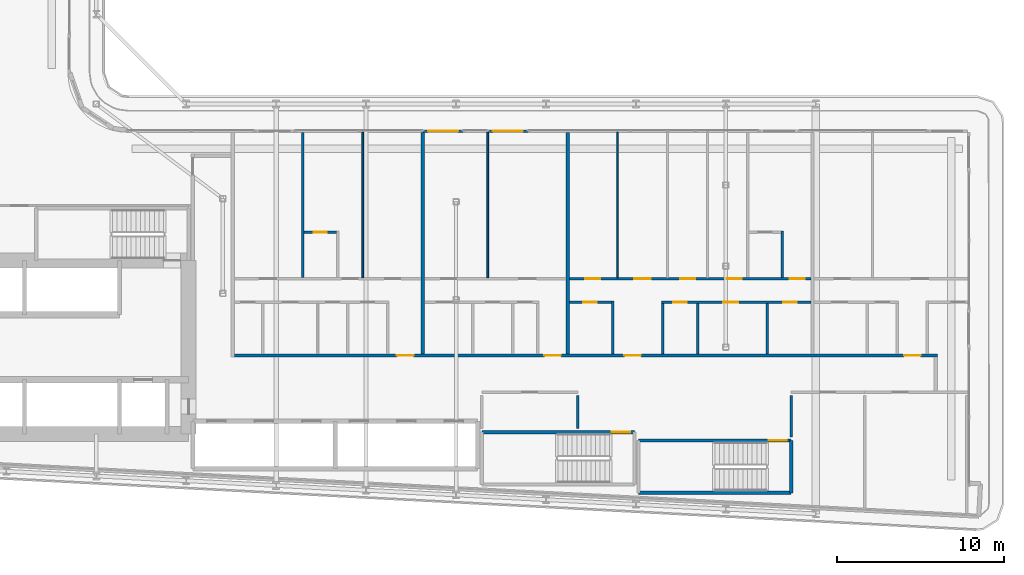
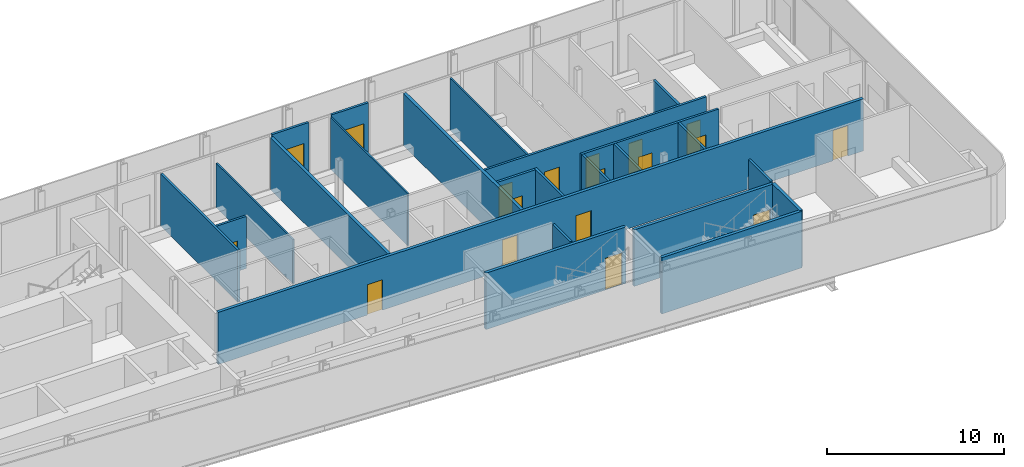
# One storey, part 14 of 25: 24 walls, 18 doors, 18 openings.
"""IFC4 building model written with IfcOpenShell, lengths in metres."""

import ifcopenshell
import ifcopenshell.guid

model = None  # the IFC model being written
_history = None  # IfcOwnerHistory: only IFC2X3 demands one
_inside = {}  # id of a spatial element -> (the spatial element, [elements in it])
_under = {}  # id of a project, library or spatial element -> (it, [spatial elements below it])
_declared = {}  # id of a project -> (the project, [libraries it declares])
_typed = {}  # id of a type object -> (the type object, [elements of that type])
_made_of = {}  # id of a material, layer set ... -> (it, [elements and type objects made of it])


def new_model(schema):
    """Start an empty IFC model of exactly this schema.

    Asked for "IFC4X3", IfcOpenShell would pick the latest addendum, in which some entities
    have other attributes; the version numbers below select the first issue.
    IFC2X3 requires an IfcOwnerHistory on every rooted entity: one is made here for all.
    """
    global model, _history
    if schema == "IFC4X3":
        model = ifcopenshell.file(schema_version=(4, 3, 0, 0))
    else:
        model = ifcopenshell.file(schema=schema)
    _inside.clear()
    _under.clear()
    _declared.clear()
    _typed.clear()
    _made_of.clear()
    _history = None
    if model.schema == "IFC2X3":
        org = make("IfcOrganization", Name="unknown")
        user = make(
            "IfcPersonAndOrganization",
            ThePerson=make("IfcPerson", FamilyName="unknown"),
            TheOrganization=org,
        )
        app = make(
            "IfcApplication",
            ApplicationDeveloper=org,
            Version="unknown",
            ApplicationFullName="unknown",
            ApplicationIdentifier="unknown",
        )
        _history = make(
            "IfcOwnerHistory",
            OwningUser=user,
            OwningApplication=app,
            ChangeAction="ADDED",
            CreationDate=0,
        )
    return model


def make(cls, **values):
    """One entity of the class cls with the attributes given. An attribute that is None is left unset."""
    return model.create_entity(
        cls, **{name: value for name, value in values.items() if value is not None}
    )


def rooted(cls, **values):
    """An entity with a GlobalId (a new one), such as an element, a storey or a relation."""
    return make(cls, GlobalId=ifcopenshell.guid.new(), OwnerHistory=_history, **values)


def si_unit(unit_type, name, prefix=None):
    """IfcSIUnit, for example si_unit("LENGTHUNIT", "METRE", prefix="MILLI")."""
    return make("IfcSIUnit", UnitType=unit_type, Prefix=prefix, Name=name)


def assignment(units):
    """IfcUnitAssignment: the units of a project."""
    return None if units is None else make("IfcUnitAssignment", Units=units)


def point(xyz):
    """IfcCartesianPoint."""
    return None if xyz is None else make("IfcCartesianPoint", Coordinates=xyz)


def direction(xyz):
    """IfcDirection."""
    return None if xyz is None else make("IfcDirection", DirectionRatios=xyz)


def frame(location, z_axis=None, x_axis=None):
    """IfcAxis2Placement3D, a coordinate frame: its origin and axes. An axis left out is left unset."""
    return make(
        "IfcAxis2Placement3D",
        Location=point(location),
        Axis=direction(z_axis),
        RefDirection=direction(x_axis),
    )


def frame_2d(location, x_axis=None):
    """IfcAxis2Placement2D, a coordinate frame in the plane: its origin and x axis."""
    return make(
        "IfcAxis2Placement2D", Location=point(location), RefDirection=direction(x_axis)
    )


def origin():
    """The frame at (0, 0, 0) with its axes left unset."""
    return frame((0.0, 0.0, 0.0))


def place(relative_to, where):
    """IfcLocalPlacement: puts the frame where relative to a parent placement (None: the world)."""
    return make(
        "IfcLocalPlacement", PlacementRelTo=relative_to, RelativePlacement=where
    )


def context(
    kind, dimensions, precision=None, world=None, true_north=None, identifier=None
):
    """IfcGeometricRepresentationContext, for example the 3D "Model" context."""
    return make(
        "IfcGeometricRepresentationContext",
        ContextIdentifier=identifier,
        ContextType=kind,
        CoordinateSpaceDimension=dimensions,
        Precision=precision,
        WorldCoordinateSystem=world,
        TrueNorth=true_north,
    )


def subcontext(parent, identifier, kind, view, scale=None):
    """IfcGeometricRepresentationSubContext, for example "Body" below "Model"."""
    return make(
        "IfcGeometricRepresentationSubContext",
        ContextIdentifier=identifier,
        ContextType=kind,
        ParentContext=parent,
        TargetScale=scale,
        TargetView=view,
    )


def project(units=None, contexts=None):
    """IfcProject with its units and contexts."""
    return rooted(
        "IfcProject",
        Name="project",
        RepresentationContexts=contexts,
        UnitsInContext=assignment(units),
    )


def spatial(cls, under=None, at=None, **own):
    """A site, building, storey or space (cls), placed at a placement, below another one or the project."""
    s = rooted(cls, ObjectPlacement=at, **own)
    if under is not None:
        _under.setdefault(under.id(), (under, []))[1].append(s)
    return s


def profile(cls, at=None, kind="AREA", **sizes):
    """A parametric profile (cls). Its sizes go by their IFC names, for example OverallWidth=200.0."""
    return make(cls, ProfileType=kind, Position=at, **sizes)


def rectangle(**sizes):
    """IfcRectangleProfileDef."""
    return profile("IfcRectangleProfileDef", **sizes)


def extrude(swept, where, along, depth):
    """IfcExtrudedAreaSolid: the profile swept, set in the frame where, extruded along a direction by depth."""
    return make(
        "IfcExtrudedAreaSolid",
        SweptArea=swept,
        Position=where,
        ExtrudedDirection=direction(along),
        Depth=depth,
    )


def shape(context_of_items, identifier, shape_type, items):
    """IfcShapeRepresentation: the items that make up one representation, for example the "Body"."""
    return make(
        "IfcShapeRepresentation",
        ContextOfItems=context_of_items,
        RepresentationIdentifier=identifier,
        RepresentationType=shape_type,
        Items=items,
    )


def source(mapping_origin, context_of_items, identifier, shape_type, items):
    """IfcRepresentationMap: a shape defined once, which mapped items show again and again."""
    return make(
        "IfcRepresentationMap",
        MappingOrigin=mapping_origin,
        MappedRepresentation=shape(context_of_items, identifier, shape_type, items),
    )


def transform(
    local_origin,
    x_axis=None,
    y_axis=None,
    z_axis=None,
    scale=None,
    scale2=None,
    scale3=None,
    uniform=True,
):
    """IfcCartesianTransformationOperator3D, or its non-uniform kind. x_axis, y_axis, z_axis: its Axis1, 2, 3."""
    if uniform:
        return make(
            "IfcCartesianTransformationOperator3D",
            Axis1=direction(x_axis),
            Axis2=direction(y_axis),
            LocalOrigin=point(local_origin),
            Scale=scale,
            Axis3=direction(z_axis),
        )
    return make(
        "IfcCartesianTransformationOperator3DnonUniform",
        Axis1=direction(x_axis),
        Axis2=direction(y_axis),
        LocalOrigin=point(local_origin),
        Scale=scale,
        Axis3=direction(z_axis),
        Scale2=scale2,
        Scale3=scale3,
    )


def mapped(mapping_source, mapping_target):
    """IfcMappedItem: shows the shape of a source again, moved by a transform."""
    return make(
        "IfcMappedItem", MappingSource=mapping_source, MappingTarget=mapping_target
    )


def material(Name=None, Category=None):
    """IfcMaterial."""
    return make("IfcMaterial", Name=Name, Category=Category)


def layer(
    of_material, thickness, ventilated=None, Name=None, Category=None, Priority=None
):
    """IfcMaterialLayer: one layer of a wall or slab, of a material (None: an air gap)."""
    return make(
        "IfcMaterialLayer",
        Material=of_material,
        LayerThickness=thickness,
        IsVentilated=ventilated,
        Name=Name,
        Category=Category,
        Priority=Priority,
    )


def layer_set(layers, Name=None):
    """IfcMaterialLayerSet."""
    return make("IfcMaterialLayerSet", MaterialLayers=layers, LayerSetName=Name)


def made_of(thing, what):
    """Note that an element or type object is made of a material, layer set ...; save() writes the relation."""
    if what is not None:
        _made_of.setdefault(what.id(), (what, []))[1].append(thing)
    return thing


def type_object(cls, material=None, **own):
    """A type object (cls), such as IfcWallType, which elements share."""
    return made_of(rooted(cls, **own), material)


def element(
    cls,
    number,
    at=None,
    inside=None,
    cuts=None,
    type_object=None,
    material=None,
    context=None,
    identifier="Body",
    shape_type=None,
    held_by="IfcProductDefinitionShape",
    body=None,
    shapes=None,
    **own,
):
    """One element of the class cls, such as IfcWall. Its Tag is "e" and its number.

    at: its placement. inside: the storey or other place that contains it. cuts: it is an
    opening in that element (IfcRelVoidsElement). A single representation is given by context,
    identifier, shape_type and body (its items); several are given by shapes. held_by: the class
    of the entity that holds the representations. save() writes the other relations.
    """
    e = rooted(cls, Tag="e%d" % number, ObjectPlacement=at, **own)
    if body is not None:
        shapes = [shape(context, identifier, shape_type, body)]
    if shapes is not None:
        e.Representation = make(held_by, Representations=shapes)
    if inside is not None:
        _inside.setdefault(inside.id(), (inside, []))[1].append(e)
    if cuts is not None:
        rooted(
            "IfcRelVoidsElement", RelatingBuildingElement=cuts, RelatedOpeningElement=e
        )
    if type_object is not None:
        _typed.setdefault(type_object.id(), (type_object, []))[1].append(e)
    return made_of(e, material)


def fill(opening, filler):
    """IfcRelFillsElement: the door or window that sits in an opening."""
    return rooted(
        "IfcRelFillsElement",
        RelatingOpeningElement=opening,
        RelatedBuildingElement=filler,
    )


def aggregate(whole, parts):
    """IfcRelAggregates: a whole, such as a stair, and the parts it consists of."""
    return rooted("IfcRelAggregates", RelatingObject=whole, RelatedObjects=parts)


def save(model, path):
    """Write the relations noted so far, then the file.

    IfcRelAggregates (storeys below a building ...), IfcRelContainedInSpatialStructure (elements
    in a storey), IfcRelDefinesByType, IfcRelAssociatesMaterial and IfcRelDeclares: one each for
    every whole, place, type object, material and project.
    """
    for whole, parts in _under.values():
        aggregate(whole, parts)
    for where, things in _inside.values():
        rooted(
            "IfcRelContainedInSpatialStructure",
            RelatedElements=things,
            RelatingStructure=where,
        )
    for kind, things in _typed.values():
        rooted("IfcRelDefinesByType", RelatedObjects=things, RelatingType=kind)
    for what, things in _made_of.values():
        rooted("IfcRelAssociatesMaterial", RelatedObjects=things, RelatingMaterial=what)
    for by, libraries in _declared.values():
        rooted("IfcRelDeclares", RelatingContext=by, RelatedDefinitions=libraries)
    model.write(path)


model = new_model("IFC4")

# Units and contexts
model_context = context("Model", 3, precision=1e-05, world=origin(), true_north=direction((0.0, 1.0)))
body_context = subcontext(model_context, "Body", "Model", "MODEL_VIEW")
ifc_project = project(units=[si_unit("LENGTHUNIT", "METRE"), si_unit("AREAUNIT", "SQUARE_METRE"), si_unit("VOLUMEUNIT", "CUBIC_METRE"), si_unit("PLANEANGLEUNIT", "RADIAN"), si_unit("MASSUNIT", "GRAM", prefix="KILO")], contexts=[model_context])

# Site, building, storey
site_placement = place(None, origin())
site = spatial("IfcSite", under=ifc_project, at=site_placement, CompositionType="ELEMENT")
building_placement = place(site_placement, origin())
building = spatial("IfcBuilding", under=site, at=building_placement, Name="Kheshtan School and Residences Tower", CompositionType="ELEMENT")
storey_placement = place(building_placement, frame((0.0, 0.0, 113.60009765625)))
storey = spatial("IfcBuildingStorey", under=building, at=storey_placement, Name="L26", CompositionType="ELEMENT", Elevation=113.60009765625)

# Wall, openings, doors
ifc_material_1 = material(Name="Gypsum board on steel studs with fire boards", Category="steel")
ifc_layer_1 = layer(ifc_material_1, 0.199951171875)
ifc_layer_set_1 = layer_set([ifc_layer_1], Name="Corridor wall 200")
wall_type_1 = type_object("IfcWallType", Name="Corridor wall 200", PredefinedType="PARTITIONING", material=ifc_layer_set_1)
wall_1_placement = place(storey_placement, frame((55.89990234375, 30.5, 0.0), z_axis=(0.0, 0.0, 1.0), x_axis=(1.0, 0.0, 0.0)))
wall_1 = element("IfcWall", 1, at=wall_1_placement, inside=storey, type_object=wall_type_1, Name="Partition L26-033", PredefinedType="PARTITIONING", context=body_context, shape_type="SweptSolid", body=[
    extrude(rectangle(XDim=42.2001953125, YDim=0.199951171875, at=frame_2d((21.10009765625, 0.0))), origin(), (0.0, 0.0, 1.0), 3.599853515625),
])
opening_1_placement = place(wall_1_placement, frame((9.75, 0.0, 0.0)))
opening_1 = element("IfcOpeningElement", 2, at=opening_1_placement, cuts=wall_1, Name="Opening D25-004", PredefinedType="OPENING", context=body_context, shape_type="SweptSolid", body=[
    extrude(rectangle(XDim=1.0, YDim=2.10009765625, at=frame_2d((0.5, 1.050048828125))), frame((0.0, 0.10986328125, 0.0), z_axis=(0.0, -1.0, 0.0), x_axis=(1.0, 0.0, 0.0)), (0.0, 0.0, 1.0), 0.219970703125),
])
opening_2_placement = place(wall_1_placement, frame((18.60009765625, 0.0, 0.0)))
opening_2 = element("IfcOpeningElement", 3, at=opening_2_placement, cuts=wall_1, Name="Opening D25-012", PredefinedType="OPENING", context=body_context, shape_type="SweptSolid", body=[
    extrude(rectangle(XDim=1.0, YDim=2.10009765625, at=frame_2d((0.5, 1.050048828125))), frame((0.0, 0.10986328125, 0.0), z_axis=(0.0, -1.0, 0.0), x_axis=(1.0, 0.0, 0.0)), (0.0, 0.0, 1.0), 0.219970703125),
])
opening_3_placement = place(wall_1_placement, frame((23.39990234375, 0.0, 0.0)))
opening_3 = element("IfcOpeningElement", 4, at=opening_3_placement, cuts=wall_1, Name="Opening D25-021", PredefinedType="OPENING", context=body_context, shape_type="SweptSolid", body=[
    extrude(rectangle(XDim=1.0, YDim=2.10009765625, at=frame_2d((0.5, 1.050048828125))), frame((0.0, 0.10986328125, 0.0), z_axis=(0.0, -1.0, 0.0), x_axis=(1.0, 0.0, 0.0)), (0.0, 0.0, 1.0), 0.219970703125),
])
opening_4_placement = place(wall_1_placement, frame((40.199951171875, 0.0, 0.0)))
opening_4 = element("IfcOpeningElement", 5, at=opening_4_placement, cuts=wall_1, Name="Opening D25-029", PredefinedType="OPENING", context=body_context, shape_type="SweptSolid", body=[
    extrude(rectangle(XDim=1.0, YDim=2.10009765625, at=frame_2d((0.5, 1.050048828125))), frame((0.0, 0.10986328125, 0.0), z_axis=(0.0, -1.0, 0.0), x_axis=(1.0, 0.0, 0.0)), (0.0, 0.0, 1.0), 0.219970703125),
])
ifc_material_2 = material(Name="Steel-framed fire-resisting door leaf", Category="steel")
door_type_1 = type_object("IfcDoorType", Name="Fire door FD30S 1000 x 2100", OperationType="SINGLE_SWING_LEFT", PredefinedType="DOOR", material=ifc_material_2)
shared_shape_1 = source(origin(), body_context, "Body", "SweptSolid", [
    extrude(rectangle(XDim=1.0, YDim=2.10009765625, at=frame_2d((0.5, 1.050048828125))), frame((0.0, 0.02490234375, 0.0), z_axis=(0.0, -1.0, 0.0), x_axis=(1.0, 0.0, 0.0)), (0.0, 0.0, 1.0), 0.050048828125),
])
door_1_placement = place(opening_1_placement, origin())
door_1 = element("IfcDoor", 6, at=door_1_placement, inside=storey, type_object=door_type_1, Name="Door D25-004", OperationType="SINGLE_SWING_RIGHT", OverallHeight=2.10009765625, OverallWidth=1.0, PredefinedType="DOOR", context=body_context, shape_type="MappedRepresentation", body=[
    mapped(shared_shape_1, transform((0.0, 0.0, 0.0), x_axis=(1.0, 0.0, 0.0), y_axis=(0.0, 1.0, 0.0), z_axis=(0.0, 0.0, 1.0), scale=1.0)),
])
fill(opening_1, door_1)
door_2_placement = place(opening_2_placement, origin())
door_2 = element("IfcDoor", 7, at=door_2_placement, inside=storey, type_object=door_type_1, Name="Door D25-012", OperationType="SINGLE_SWING_RIGHT", OverallHeight=2.10009765625, OverallWidth=1.0, PredefinedType="DOOR", context=body_context, shape_type="MappedRepresentation", body=[
    mapped(shared_shape_1, transform((0.0, 0.0, 0.0), x_axis=(1.0, 0.0, 0.0), y_axis=(0.0, 1.0, 0.0), z_axis=(0.0, 0.0, 1.0), scale=1.0)),
])
fill(opening_2, door_2)
door_3_placement = place(opening_3_placement, origin())
door_3 = element("IfcDoor", 8, at=door_3_placement, inside=storey, type_object=door_type_1, Name="Door D25-021", OperationType="SINGLE_SWING_LEFT", OverallHeight=2.10009765625, OverallWidth=1.0, PredefinedType="DOOR", context=body_context, shape_type="MappedRepresentation", body=[
    mapped(shared_shape_1, transform((0.0, 0.0, 0.0), x_axis=(1.0, 0.0, 0.0), y_axis=(0.0, 1.0, 0.0), z_axis=(0.0, 0.0, 1.0), scale=1.0)),
])
fill(opening_3, door_3)
door_4_placement = place(opening_4_placement, origin())
door_4 = element("IfcDoor", 9, at=door_4_placement, inside=storey, type_object=door_type_1, Name="Door D25-029", OperationType="SINGLE_SWING_RIGHT", OverallHeight=2.10009765625, OverallWidth=1.0, PredefinedType="DOOR", context=body_context, shape_type="MappedRepresentation", body=[
    mapped(shared_shape_1, transform((0.0, 0.0, 0.0), x_axis=(1.0, 0.0, 0.0), y_axis=(0.0, 1.0, 0.0), z_axis=(0.0, 0.0, 1.0), scale=1.0)),
])
fill(opening_4, door_4)

# Wall, opening, door
ifc_material_3 = material(Name="Aluminium frame wall with insulated infill", Category="aluminium")
ifc_layer_2 = layer(ifc_material_3, 0.14990234375)
ifc_layer_set_2 = layer_set([ifc_layer_2], Name="Glazing frame wall 150")
wall_type_2 = type_object("IfcWallType", Name="Glazing frame wall 150", PredefinedType="SOLIDWALL", material=ifc_layer_set_2)
wall_2_placement = place(storey_placement, frame((67.218017578125, 43.97509765625, 0.0), z_axis=(0.0, 0.0, 1.0), x_axis=(1.0, 0.0, 0.0)))
wall_2 = element("IfcWall", 10, at=wall_2_placement, inside=storey, type_object=wall_type_2, Name="Balcony door wall L26 8.2", PredefinedType="SOLIDWALL", context=body_context, shape_type="SweptSolid", body=[
    extrude(rectangle(XDim=2.39990234375, YDim=0.14990234375, at=frame_2d((1.199951171875, 0.0))), origin(), (0.0, 0.0, 1.0), 3.75),
])
opening_5_placement = place(wall_2_placement, frame((0.300048828125, 0.0, 0.0)))
opening_5 = element("IfcOpeningElement", 11, at=opening_5_placement, cuts=wall_2, Name="Opening BD", PredefinedType="OPENING", context=body_context, shape_type="SweptSolid", body=[
    extrude(rectangle(XDim=1.800048828125, YDim=2.39990234375, at=frame_2d((0.89990234375, 1.199951171875))), frame((0.0, 0.0849609375, 0.0), z_axis=(0.0, -1.0, 0.0), x_axis=(1.0, 0.0, 0.0)), (0.0, 0.0, 1.0), 0.169921875),
])
ifc_material_4 = material(Name="Clear low-e glass in thermally broken aluminium frame", Category="aluminium")
door_type_2 = type_object("IfcDoorType", Name="Balcony sliding door", OperationType="SLIDING_TO_LEFT", PredefinedType="DOOR", material=ifc_material_4)
shared_shape_2 = source(origin(), body_context, "Body", "SweptSolid", [
    extrude(rectangle(XDim=1.800048828125, YDim=2.39990234375, at=frame_2d((0.89990234375, 1.199951171875))), frame((0.0, 0.02490234375, 0.0), z_axis=(0.0, -1.0, 0.0), x_axis=(1.0, 0.0, 0.0)), (0.0, 0.0, 1.0), 0.050048828125),
])
door_5_placement = place(opening_5_placement, origin())
door_5 = element("IfcDoor", 12, at=door_5_placement, inside=storey, type_object=door_type_2, Name="Balcony door L26 8.2", OperationType="SLIDING_TO_LEFT", OverallHeight=2.39990234375, OverallWidth=1.800048828125, PredefinedType="DOOR", context=body_context, shape_type="MappedRepresentation", body=[
    mapped(shared_shape_2, transform((0.0, 0.0, 0.0), x_axis=(1.0, 0.0, 0.0), y_axis=(0.0, 1.0, 0.0), z_axis=(0.0, 0.0, 1.0), scale=1.0)),
])
fill(opening_5, door_5)

wall_3_placement = place(storey_placement, frame((71.117919921875, 43.97509765625, 0.0), z_axis=(0.0, 0.0, 1.0), x_axis=(1.0, 0.0, 0.0)))
wall_3 = element("IfcWall", 13, at=wall_3_placement, inside=storey, type_object=wall_type_2, Name="Balcony door wall L26 8.3", PredefinedType="SOLIDWALL", context=body_context, shape_type="SweptSolid", body=[
    extrude(rectangle(XDim=2.400146484375, YDim=0.14990234375, at=frame_2d((1.2001953125, 0.0))), origin(), (0.0, 0.0, 1.0), 3.75),
])
opening_6_placement = place(wall_3_placement, frame((0.300048828125, 0.0, 0.0)))
opening_6 = element("IfcOpeningElement", 14, at=opening_6_placement, cuts=wall_3, Name="Opening BD", PredefinedType="OPENING", context=body_context, shape_type="SweptSolid", body=[
    extrude(rectangle(XDim=1.800048828125, YDim=2.39990234375, at=frame_2d((0.89990234375, 1.199951171875))), frame((0.0, 0.0849609375, 0.0), z_axis=(0.0, -1.0, 0.0), x_axis=(1.0, 0.0, 0.0)), (0.0, 0.0, 1.0), 0.169921875),
])
door_6_placement = place(opening_6_placement, origin())
door_6 = element("IfcDoor", 15, at=door_6_placement, inside=storey, type_object=door_type_2, Name="Balcony door L26 8.3", OperationType="SLIDING_TO_LEFT", OverallHeight=2.39990234375, OverallWidth=1.800048828125, PredefinedType="DOOR", context=body_context, shape_type="MappedRepresentation", body=[
    mapped(shared_shape_2, transform((0.0, 0.0, 0.0), x_axis=(1.0, 0.0, 0.0), y_axis=(0.0, 1.0, 0.0), z_axis=(0.0, 0.0, 1.0), scale=1.0)),
])
fill(opening_6, door_6)

# Walls
ifc_material_5 = material(Name="Gypsum board on steel studs", Category="steel")
ifc_layer_3 = layer(ifc_material_5, 0.10009765625)
ifc_layer_set_3 = layer_set([ifc_layer_3], Name="Gypsum partition 100")
wall_type_3 = type_object("IfcWallType", Name="Gypsum partition 100", PredefinedType="PARTITIONING", material=ifc_layer_set_3)
wall_4_placement = place(storey_placement, frame((63.60009765625, 35.175048828125, 0.0), z_axis=(0.0, 0.0, 1.0), x_axis=(0.0, 1.0, 0.0)))
element("IfcWall", 16, at=wall_4_placement, inside=storey, type_object=wall_type_3, Name="Partition L26-042", PredefinedType="PARTITIONING", context=body_context, shape_type="SweptSolid", body=[
    extrude(rectangle(XDim=8.724853515625, YDim=0.10009765625, at=frame_2d((4.3623046875, 0.0))), origin(), (0.0, 0.0, 1.0), 3.072021484375),
])
for number, where, z_axis, x_axis, name in (
    (17, (71.10009765625, 35.175048828125, 0.0), (0.0, 0.0, 1.0), (0.0, 1.0, 0.0), "Partition L26-048"),
    (18, (78.89990234375, 35.175048828125, 0.0), (0.0, 0.0, 1.0), (0.0, 1.0, 0.0), "Partition L26-055"),
):
    element("IfcWall", number, at=place(storey_placement, frame(where, z_axis=z_axis, x_axis=x_axis)), inside=storey, type_object=wall_type_3, Name=name, PredefinedType="PARTITIONING", context=body_context, shape_type="SweptSolid", body=[
        extrude(rectangle(XDim=8.724853515625, YDim=0.10009765625, at=frame_2d((4.3623046875, 0.0))), origin(), (0.0, 0.0, 1.0), 3.599853515625),
    ])
ifc_material_6 = material(Name="Fire-board shaft wall system")
ifc_layer_4 = layer(ifc_material_6, 0.14990234375)
ifc_layer_set_4 = layer_set([ifc_layer_4], Name="Service room wall 150")
wall_type_4 = type_object("IfcWallType", Name="Service room wall 150", PredefinedType="PARTITIONING", material=ifc_layer_set_4)
wall_5_placement = place(storey_placement, frame((76.510009765625, 26.1201171875, 0.0), z_axis=(0.0, 0.0, 1.0), x_axis=(0.0, 1.0, 0.0)))
element("IfcWall", 19, at=wall_5_placement, inside=storey, type_object=wall_type_4, Name="Service room wall", PredefinedType="PARTITIONING", context=body_context, shape_type="SweptSolid", body=[
    extrude(rectangle(XDim=1.98486328125, YDim=0.14990234375, at=frame_2d((0.992431640625, 0.0))), origin(), (0.0, 0.0, 1.0), 3.89990234375),
])
wall_6_placement = place(storey_placement, frame((89.320068359375, 25.6201171875, 0.0), z_axis=(0.0, 0.0, 1.0), x_axis=(0.0, 1.0, 0.0)))
element("IfcWall", 20, at=wall_6_placement, inside=storey, type_object=wall_type_4, Name="Service room wall", PredefinedType="PARTITIONING", context=body_context, shape_type="SweptSolid", body=[
    extrude(rectangle(XDim=2.48486328125, YDim=0.14990234375, at=frame_2d((1.242431640625, 0.0))), origin(), (0.0, 0.0, 1.0), 3.89990234375),
])
ifc_material_7 = material(Name="Concrete C40/50", Category="concrete")
ifc_layer_5 = layer(ifc_material_7, 0.199951171875)
ifc_layer_set_5 = layer_set([ifc_layer_5], Name="Stair enclosure wall 200 Concrete C40/50")
wall_type_5 = type_object("IfcWallType", Name="Stair enclosure wall 200 Concrete C40/50", PredefinedType="SHEAR", material=ifc_layer_set_5)
wall_7_placement = place(storey_placement, frame((80.159912109375, 22.25, 0.0), z_axis=(0.0, 0.0, 1.0), x_axis=(1.0, 0.0, 0.0)))
element("IfcWall", 21, at=wall_7_placement, inside=storey, type_object=wall_type_5, Name="Stair enclosure wall ST4", PredefinedType="SHEAR", context=body_context, shape_type="SweptSolid", body=[
    extrude(rectangle(XDim=9.16015625, YDim=0.199951171875, at=frame_2d((4.580078125, 0.0))), origin(), (0.0, 0.0, 1.0), 3.89990234375),
])

# Wall, opening, door
wall_8_placement = place(storey_placement, frame((80.159912109375, 25.39990234375, 0.0), z_axis=(0.0, 0.0, 1.0), x_axis=(1.0, 0.0, 0.0)))
wall_8 = element("IfcWall", 22, at=wall_8_placement, inside=storey, type_object=wall_type_5, Name="Stair enclosure wall ST4", PredefinedType="SHEAR", context=body_context, shape_type="SweptSolid", body=[
    extrude(rectangle(XDim=9.16015625, YDim=0.199951171875, at=frame_2d((4.580078125, 0.0))), origin(), (0.0, 0.0, 1.0), 3.89990234375),
])
opening_7_placement = place(wall_8_placement, frame((7.81005859375, 0.0, 0.0)))
opening_7 = element("IfcOpeningElement", 23, at=opening_7_placement, cuts=wall_8, Name="Opening ST4D", PredefinedType="OPENING", context=body_context, shape_type="SweptSolid", body=[
    extrude(rectangle(XDim=1.10009765625, YDim=2.199951171875, at=frame_2d((0.550048828125, 1.10009765625))), frame((0.0, 0.10986328125, 0.0), z_axis=(0.0, -1.0, 0.0), x_axis=(1.0, 0.0, 0.0)), (0.0, 0.0, 1.0), 0.219970703125),
])
ifc_material_8 = material(Name="Steel door leaf, galvanised", Category="steel")
door_type_3 = type_object("IfcDoorType", Name="Stair door 1100 steel 90 min", OperationType="SINGLE_SWING_LEFT", PredefinedType="DOOR", material=ifc_material_8)
shared_shape_3 = source(origin(), body_context, "Body", "SweptSolid", [
    extrude(rectangle(XDim=1.10009765625, YDim=2.199951171875, at=frame_2d((0.550048828125, 1.10009765625))), frame((0.0, 0.02490234375, 0.0), z_axis=(0.0, -1.0, 0.0), x_axis=(1.0, 0.0, 0.0)), (0.0, 0.0, 1.0), 0.050048828125),
])
door_7_placement = place(opening_7_placement, origin())
door_7 = element("IfcDoor", 24, at=door_7_placement, inside=storey, type_object=door_type_3, Name="Stair ST4 door", OperationType="SINGLE_SWING_LEFT", OverallHeight=2.199951171875, OverallWidth=1.10009765625, PredefinedType="DOOR", context=body_context, shape_type="MappedRepresentation", body=[
    mapped(shared_shape_3, transform((0.0, 0.0, 0.0), x_axis=(1.0, 0.0, 0.0), y_axis=(0.0, 1.0, 0.0), z_axis=(0.0, 0.0, 1.0), scale=1.0)),
])
fill(opening_7, door_7)

# Wall
wall_9_placement = place(storey_placement, frame((89.320068359375, 22.25, 0.0), z_axis=(0.0, 0.0, 1.0), x_axis=(0.0, 1.0, 0.0)))
element("IfcWall", 25, at=wall_9_placement, inside=storey, type_object=wall_type_5, Name="Stair enclosure wall ST4", PredefinedType="SHEAR", context=body_context, shape_type="SweptSolid", body=[
    extrude(rectangle(XDim=3.14990234375, YDim=0.199951171875, at=frame_2d((1.574951171875, 0.0))), origin(), (0.0, 0.0, 1.0), 3.89990234375),
])

# Wall, opening, door
wall_10_placement = place(storey_placement, frame((70.75, 25.89990234375, 0.0), z_axis=(0.0, 0.0, 1.0), x_axis=(1.0, 0.0, 0.0)))
wall_10 = element("IfcWall", 26, at=wall_10_placement, inside=storey, type_object=wall_type_5, Name="Stair enclosure wall ST5", PredefinedType="SHEAR", context=body_context, shape_type="SweptSolid", body=[
    extrude(rectangle(XDim=9.159912109375, YDim=0.199951171875, at=frame_2d((4.580078125, 0.0))), origin(), (0.0, 0.0, 1.0), 3.89990234375),
])
opening_8_placement = place(wall_10_placement, frame((7.81005859375, 0.0, 0.0)))
opening_8 = element("IfcOpeningElement", 27, at=opening_8_placement, cuts=wall_10, Name="Opening ST5D", PredefinedType="OPENING", context=body_context, shape_type="SweptSolid", body=[
    extrude(rectangle(XDim=1.10009765625, YDim=2.199951171875, at=frame_2d((0.550048828125, 1.10009765625))), frame((0.0, 0.10986328125, 0.0), z_axis=(0.0, -1.0, 0.0), x_axis=(1.0, 0.0, 0.0)), (0.0, 0.0, 1.0), 0.219970703125),
])
door_8_placement = place(opening_8_placement, origin())
door_8 = element("IfcDoor", 28, at=door_8_placement, inside=storey, type_object=door_type_3, Name="Stair ST5 door", OperationType="SINGLE_SWING_LEFT", OverallHeight=2.199951171875, OverallWidth=1.10009765625, PredefinedType="DOOR", context=body_context, shape_type="MappedRepresentation", body=[
    mapped(shared_shape_3, transform((0.0, 0.0, 0.0), x_axis=(1.0, 0.0, 0.0), y_axis=(0.0, 1.0, 0.0), z_axis=(0.0, 0.0, 1.0), scale=1.0)),
])
fill(opening_8, door_8)

# Walls
ifc_material_9 = material(Name="Twin gypsum board on steel studs with mineral wool", Category="steel")
ifc_layer_6 = layer(ifc_material_9, 0.199951171875)
ifc_layer_set_6 = layer_set([ifc_layer_6], Name="Unit demising wall 200")
wall_type_6 = type_object("IfcWallType", Name="Unit demising wall 200", PredefinedType="PARTITIONING", material=ifc_layer_set_6)
for number, where, z_axis, x_axis, name in (
    (29, (67.199951171875, 30.60009765625, 0.0), (0.0, 0.0, 1.0), (0.0, 1.0, 0.0), "Partition L26-044"),
    (30, (75.89990234375, 30.60009765625, 0.0), (0.0, 0.0, 1.0), (0.0, 1.0, 0.0), "Partition L26-051"),
):
    element("IfcWall", number, at=place(storey_placement, frame(where, z_axis=z_axis, x_axis=x_axis)), inside=storey, type_object=wall_type_6, Name=name, PredefinedType="PARTITIONING", context=body_context, shape_type="SweptSolid", body=[
        extrude(rectangle(XDim=13.2998046875, YDim=0.199951171875, at=frame_2d((6.64990234375, 0.0))), origin(), (0.0, 0.0, 1.0), 3.599853515625),
    ])
ifc_material_10 = material(Name="Moisture-resistant gypsum board on steel studs", Category="steel")
ifc_layer_7 = layer(ifc_material_10, 0.14990234375)
ifc_layer_set_7 = layer_set([ifc_layer_7], Name="Wet-room partition 150")
wall_type_7 = type_object("IfcWallType", Name="Wet-room partition 150", PredefinedType="PARTITIONING", material=ifc_layer_set_7)
wall_11_placement = place(storey_placement, frame((60.0, 35.175048828125, 0.0), z_axis=(0.0, 0.0, 1.0), x_axis=(0.0, 1.0, 0.0)))
element("IfcWall", 31, at=wall_11_placement, inside=storey, type_object=wall_type_7, Name="Partition L26-037", PredefinedType="PARTITIONING", context=body_context, shape_type="SweptSolid", body=[
    extrude(rectangle(XDim=8.724853515625, YDim=0.14990234375, at=frame_2d((4.3623046875, 0.0))), origin(), (0.0, 0.0, 1.0), 3.599853515625),
])

# Wall, opening, door
wall_12_placement = place(storey_placement, frame((60.074951171875, 37.89990234375, 0.0), z_axis=(0.0, 0.0, 1.0), x_axis=(1.0, 0.0, 0.0)))
wall_12 = element("IfcWall", 32, at=wall_12_placement, inside=storey, type_object=wall_type_7, Name="Partition L26-038", PredefinedType="PARTITIONING", context=body_context, shape_type="SweptSolid", body=[
    extrude(rectangle(XDim=1.949951171875, YDim=0.14990234375, at=frame_2d((0.97509765625, 0.0))), origin(), (0.0, 0.0, 1.0), 3.599853515625),
])
opening_9_placement = place(wall_12_placement, frame((0.574951171875, 0.0, 0.0)))
opening_9 = element("IfcOpeningElement", 33, at=opening_9_placement, cuts=wall_12, Name="Opening D25-003", PredefinedType="OPENING", context=body_context, shape_type="SweptSolid", body=[
    extrude(rectangle(XDim=0.800048828125, YDim=2.10009765625, at=frame_2d((0.39990234375, 1.050048828125))), frame((0.0, 0.0849609375, 0.0), z_axis=(0.0, -1.0, 0.0), x_axis=(1.0, 0.0, 0.0)), (0.0, 0.0, 1.0), 0.169921875),
])
ifc_material_11 = material(Name="Veneered timber door leaf", Category="wood")
door_type_4 = type_object("IfcDoorType", Name="Door 800 x 2100", OperationType="SINGLE_SWING_LEFT", PredefinedType="DOOR", material=ifc_material_11)
shared_shape_4 = source(origin(), body_context, "Body", "SweptSolid", [
    extrude(rectangle(XDim=0.800048828125, YDim=2.10009765625, at=frame_2d((0.39990234375, 1.050048828125))), frame((0.0, 0.02490234375, 0.0), z_axis=(0.0, -1.0, 0.0), x_axis=(1.0, 0.0, 0.0)), (0.0, 0.0, 1.0), 0.050048828125),
])
door_9_placement = place(opening_9_placement, origin())
door_9 = element("IfcDoor", 34, at=door_9_placement, inside=storey, type_object=door_type_4, Name="Door D25-003", OperationType="SINGLE_SWING_LEFT", OverallHeight=2.10009765625, OverallWidth=0.800048828125, PredefinedType="DOOR", context=body_context, shape_type="MappedRepresentation", body=[
    mapped(shared_shape_4, transform((0.0, 0.0, 0.0), x_axis=(1.0, 0.0, 0.0), y_axis=(0.0, 1.0, 0.0), z_axis=(0.0, 0.0, 1.0), scale=1.0)),
])
fill(opening_9, door_9)

wall_13_placement = place(storey_placement, frame((76.0, 33.699951171875, 0.0), z_axis=(0.0, 0.0, 1.0), x_axis=(1.0, 0.0, 0.0)))
wall_13 = element("IfcWall", 35, at=wall_13_placement, inside=storey, type_object=wall_type_7, Name="Partition L26-052", PredefinedType="PARTITIONING", context=body_context, shape_type="SweptSolid", body=[
    extrude(rectangle(XDim=2.52490234375, YDim=0.14990234375, at=frame_2d((1.262451171875, 0.0))), origin(), (0.0, 0.0, 1.0), 3.599853515625),
])
opening_10_placement = place(wall_13_placement, frame((0.85009765625, 0.0, 0.0)))
opening_10 = element("IfcOpeningElement", 36, at=opening_10_placement, cuts=wall_13, Name="Opening D25-016", PredefinedType="OPENING", context=body_context, shape_type="SweptSolid", body=[
    extrude(rectangle(XDim=0.800048828125, YDim=2.10009765625, at=frame_2d((0.39990234375, 1.050048828125))), frame((0.0, 0.0849609375, 0.0), z_axis=(0.0, -1.0, 0.0), x_axis=(1.0, 0.0, 0.0)), (0.0, 0.0, 1.0), 0.169921875),
])
door_10_placement = place(opening_10_placement, origin())
door_10 = element("IfcDoor", 37, at=door_10_placement, inside=storey, type_object=door_type_4, Name="Door D25-016", OperationType="SINGLE_SWING_LEFT", OverallHeight=2.10009765625, OverallWidth=0.800048828125, PredefinedType="DOOR", context=body_context, shape_type="MappedRepresentation", body=[
    mapped(shared_shape_4, transform((0.0, 0.0, 0.0), x_axis=(1.0, 0.0, 0.0), y_axis=(0.0, 1.0, 0.0), z_axis=(0.0, 0.0, 1.0), scale=1.0)),
])
fill(opening_10, door_10)

# Wall, openings, doors
wall_14_placement = place(storey_placement, frame((76.0, 35.10009765625, 0.0), z_axis=(0.0, 0.0, 1.0), x_axis=(1.0, 0.0, 0.0)))
wall_14 = element("IfcWall", 38, at=wall_14_placement, inside=storey, type_object=wall_type_7, Name="Partition L26-053", PredefinedType="PARTITIONING", context=body_context, shape_type="SweptSolid", body=[
    extrude(rectangle(XDim=14.5, YDim=0.14990234375, at=frame_2d((7.25, 0.0))), origin(), (0.0, 0.0, 1.0), 3.599853515625),
])
opening_11_placement = place(wall_14_placement, frame((0.949951171875, 0.0, 0.0)))
opening_11 = element("IfcOpeningElement", 39, at=opening_11_placement, cuts=wall_14, Name="Opening D25-018", PredefinedType="OPENING", context=body_context, shape_type="SweptSolid", body=[
    extrude(rectangle(XDim=0.89990234375, YDim=2.10009765625, at=frame_2d((0.449951171875, 1.050048828125))), frame((0.0, 0.0849609375, 0.0), z_axis=(0.0, -1.0, 0.0), x_axis=(1.0, 0.0, 0.0)), (0.0, 0.0, 1.0), 0.169921875),
])
opening_12_placement = place(wall_14_placement, frame((6.64990234375, 0.0, 0.0)))
opening_12 = element("IfcOpeningElement", 40, at=opening_12_placement, cuts=wall_14, Name="Opening D25-019", PredefinedType="OPENING", context=body_context, shape_type="SweptSolid", body=[
    extrude(rectangle(XDim=0.89990234375, YDim=2.10009765625, at=frame_2d((0.449951171875, 1.050048828125))), frame((0.0, 0.0849609375, 0.0), z_axis=(0.0, -1.0, 0.0), x_axis=(1.0, 0.0, 0.0)), (0.0, 0.0, 1.0), 0.169921875),
])
opening_13_placement = place(wall_14_placement, frame((3.89990234375, 0.0, 0.0)))
opening_13 = element("IfcOpeningElement", 41, at=opening_13_placement, cuts=wall_14, Name="Opening D25-023", PredefinedType="OPENING", context=body_context, shape_type="SweptSolid", body=[
    extrude(rectangle(XDim=1.0, YDim=2.10009765625, at=frame_2d((0.5, 1.050048828125))), frame((0.0, 0.0849609375, 0.0), z_axis=(0.0, -1.0, 0.0), x_axis=(1.0, 0.0, 0.0)), (0.0, 0.0, 1.0), 0.169921875),
])
opening_14_placement = place(wall_14_placement, frame((9.449951171875, 0.0, 0.0)))
opening_14 = element("IfcOpeningElement", 42, at=opening_14_placement, cuts=wall_14, Name="Opening D25-024", PredefinedType="OPENING", context=body_context, shape_type="SweptSolid", body=[
    extrude(rectangle(XDim=0.89990234375, YDim=2.10009765625, at=frame_2d((0.449951171875, 1.050048828125))), frame((0.0, 0.0849609375, 0.0), z_axis=(0.0, -1.0, 0.0), x_axis=(1.0, 0.0, 0.0)), (0.0, 0.0, 1.0), 0.169921875),
])
opening_15_placement = place(wall_14_placement, frame((13.25, 0.0, 0.0)))
opening_15 = element("IfcOpeningElement", 43, at=opening_15_placement, cuts=wall_14, Name="Opening D25-025", PredefinedType="OPENING", context=body_context, shape_type="SweptSolid", body=[
    extrude(rectangle(XDim=0.89990234375, YDim=2.10009765625, at=frame_2d((0.449951171875, 1.050048828125))), frame((0.0, 0.0849609375, 0.0), z_axis=(0.0, -1.0, 0.0), x_axis=(1.0, 0.0, 0.0)), (0.0, 0.0, 1.0), 0.169921875),
])
door_type_5 = type_object("IfcDoorType", Name="Door 1000 x 2100", OperationType="SINGLE_SWING_LEFT", PredefinedType="DOOR", material=ifc_material_11)
shared_shape_5 = source(origin(), body_context, "Body", "SweptSolid", [
    extrude(rectangle(XDim=1.0, YDim=2.10009765625, at=frame_2d((0.5, 1.050048828125))), frame((0.0, 0.02490234375, 0.0), z_axis=(0.0, -1.0, 0.0), x_axis=(1.0, 0.0, 0.0)), (0.0, 0.0, 1.0), 0.050048828125),
])
door_11_placement = place(opening_13_placement, origin())
door_11 = element("IfcDoor", 44, at=door_11_placement, inside=storey, type_object=door_type_5, Name="Door D25-023", OperationType="SINGLE_SWING_LEFT", OverallHeight=2.10009765625, OverallWidth=1.0, PredefinedType="DOOR", context=body_context, shape_type="MappedRepresentation", body=[
    mapped(shared_shape_5, transform((0.0, 0.0, 0.0), x_axis=(1.0, 0.0, 0.0), y_axis=(0.0, 1.0, 0.0), z_axis=(0.0, 0.0, 1.0), scale=1.0)),
])
fill(opening_13, door_11)
door_type_6 = type_object("IfcDoorType", Name="Door 900 x 2100", OperationType="SINGLE_SWING_LEFT", PredefinedType="DOOR", material=ifc_material_11)
shared_shape_6 = source(origin(), body_context, "Body", "SweptSolid", [
    extrude(rectangle(XDim=0.89990234375, YDim=2.10009765625, at=frame_2d((0.449951171875, 1.050048828125))), frame((0.0, 0.02490234375, 0.0), z_axis=(0.0, -1.0, 0.0), x_axis=(1.0, 0.0, 0.0)), (0.0, 0.0, 1.0), 0.050048828125),
])
door_12_placement = place(opening_11_placement, origin())
door_12 = element("IfcDoor", 45, at=door_12_placement, inside=storey, type_object=door_type_6, Name="Door D25-018", OperationType="SINGLE_SWING_LEFT", OverallHeight=2.10009765625, OverallWidth=0.89990234375, PredefinedType="DOOR", context=body_context, shape_type="MappedRepresentation", body=[
    mapped(shared_shape_6, transform((0.0, 0.0, 0.0), x_axis=(1.0, 0.0, 0.0), y_axis=(0.0, 1.0, 0.0), z_axis=(0.0, 0.0, 1.0), scale=1.0)),
])
fill(opening_11, door_12)
door_13_placement = place(opening_12_placement, origin())
door_13 = element("IfcDoor", 46, at=door_13_placement, inside=storey, type_object=door_type_6, Name="Door D25-019", OperationType="SINGLE_SWING_RIGHT", OverallHeight=2.10009765625, OverallWidth=0.89990234375, PredefinedType="DOOR", context=body_context, shape_type="MappedRepresentation", body=[
    mapped(shared_shape_6, transform((0.0, 0.0, 0.0), x_axis=(1.0, 0.0, 0.0), y_axis=(0.0, 1.0, 0.0), z_axis=(0.0, 0.0, 1.0), scale=1.0)),
])
fill(opening_12, door_13)
door_14_placement = place(opening_14_placement, origin())
door_14 = element("IfcDoor", 47, at=door_14_placement, inside=storey, type_object=door_type_6, Name="Door D25-024", OperationType="SINGLE_SWING_LEFT", OverallHeight=2.10009765625, OverallWidth=0.89990234375, PredefinedType="DOOR", context=body_context, shape_type="MappedRepresentation", body=[
    mapped(shared_shape_6, transform((0.0, 0.0, 0.0), x_axis=(1.0, 0.0, 0.0), y_axis=(0.0, 1.0, 0.0), z_axis=(0.0, 0.0, 1.0), scale=1.0)),
])
fill(opening_14, door_14)
door_15_placement = place(opening_15_placement, origin())
door_15 = element("IfcDoor", 48, at=door_15_placement, inside=storey, type_object=door_type_6, Name="Door D25-025", OperationType="SINGLE_SWING_RIGHT", OverallHeight=2.10009765625, OverallWidth=0.89990234375, PredefinedType="DOOR", context=body_context, shape_type="MappedRepresentation", body=[
    mapped(shared_shape_6, transform((0.0, 0.0, 0.0), x_axis=(1.0, 0.0, 0.0), y_axis=(0.0, 1.0, 0.0), z_axis=(0.0, 0.0, 1.0), scale=1.0)),
])
fill(opening_15, door_15)

# Wall
wall_15_placement = place(storey_placement, frame((78.60009765625, 30.60009765625, 0.0), z_axis=(0.0, 0.0, 1.0), x_axis=(0.0, 1.0, 0.0)))
element("IfcWall", 49, at=wall_15_placement, inside=storey, type_object=wall_type_7, Name="Partition L26-054", PredefinedType="PARTITIONING", context=body_context, shape_type="SweptSolid", body=[
    extrude(rectangle(XDim=3.1748046875, YDim=0.14990234375, at=frame_2d((1.58740234375, 0.0))), origin(), (0.0, 0.0, 1.0), 3.599853515625),
])

# Wall, openings, doors
wall_16_placement = place(storey_placement, frame((81.52490234375, 33.699951171875, 0.0), z_axis=(0.0, 0.0, 1.0), x_axis=(1.0, 0.0, 0.0)))
wall_16 = element("IfcWall", 50, at=wall_16_placement, inside=storey, type_object=wall_type_7, Name="Partition L26-056", PredefinedType="PARTITIONING", context=body_context, shape_type="SweptSolid", body=[
    extrude(rectangle(XDim=8.97509765625, YDim=0.14990234375, at=frame_2d((4.487548828125, 0.0))), origin(), (0.0, 0.0, 1.0), 3.599853515625),
])
opening_16_placement = place(wall_16_placement, frame((7.324951171875, 0.0, 0.0)))
opening_16 = element("IfcOpeningElement", 51, at=opening_16_placement, cuts=wall_16, Name="Opening D25-017", PredefinedType="OPENING", context=body_context, shape_type="SweptSolid", body=[
    extrude(rectangle(XDim=0.800048828125, YDim=2.10009765625, at=frame_2d((0.39990234375, 1.050048828125))), frame((0.0, 0.0849609375, 0.0), z_axis=(0.0, -1.0, 0.0), x_axis=(1.0, 0.0, 0.0)), (0.0, 0.0, 1.0), 0.169921875),
])
opening_17_placement = place(wall_16_placement, frame((3.72509765625, 0.0, 0.0)))
opening_17 = element("IfcOpeningElement", 52, at=opening_17_placement, cuts=wall_16, Name="Opening D25-022", PredefinedType="OPENING", context=body_context, shape_type="SweptSolid", body=[
    extrude(rectangle(XDim=0.89990234375, YDim=2.10009765625, at=frame_2d((0.449951171875, 1.050048828125))), frame((0.0, 0.0849609375, 0.0), z_axis=(0.0, -1.0, 0.0), x_axis=(1.0, 0.0, 0.0)), (0.0, 0.0, 1.0), 0.169921875),
])
opening_18_placement = place(wall_16_placement, frame((0.72509765625, 0.0, 0.0)))
opening_18 = element("IfcOpeningElement", 53, at=opening_18_placement, cuts=wall_16, Name="Opening D25-026", PredefinedType="OPENING", context=body_context, shape_type="SweptSolid", body=[
    extrude(rectangle(XDim=0.800048828125, YDim=2.10009765625, at=frame_2d((0.39990234375, 1.050048828125))), frame((0.0, 0.0849609375, 0.0), z_axis=(0.0, -1.0, 0.0), x_axis=(1.0, 0.0, 0.0)), (0.0, 0.0, 1.0), 0.169921875),
])
door_16_placement = place(opening_16_placement, origin())
door_16 = element("IfcDoor", 54, at=door_16_placement, inside=storey, type_object=door_type_4, Name="Door D25-017", OperationType="SINGLE_SWING_RIGHT", OverallHeight=2.10009765625, OverallWidth=0.800048828125, PredefinedType="DOOR", context=body_context, shape_type="MappedRepresentation", body=[
    mapped(shared_shape_4, transform((0.0, 0.0, 0.0), x_axis=(1.0, 0.0, 0.0), y_axis=(0.0, 1.0, 0.0), z_axis=(0.0, 0.0, 1.0), scale=1.0)),
])
fill(opening_16, door_16)
door_17_placement = place(opening_18_placement, origin())
door_17 = element("IfcDoor", 55, at=door_17_placement, inside=storey, type_object=door_type_4, Name="Door D25-026", OperationType="SINGLE_SWING_RIGHT", OverallHeight=2.10009765625, OverallWidth=0.800048828125, PredefinedType="DOOR", context=body_context, shape_type="MappedRepresentation", body=[
    mapped(shared_shape_4, transform((0.0, 0.0, 0.0), x_axis=(1.0, 0.0, 0.0), y_axis=(0.0, 1.0, 0.0), z_axis=(0.0, 0.0, 1.0), scale=1.0)),
])
fill(opening_18, door_17)
door_18_placement = place(opening_17_placement, origin())
door_18 = element("IfcDoor", 56, at=door_18_placement, inside=storey, type_object=door_type_6, Name="Door D25-022", OperationType="SINGLE_SWING_RIGHT", OverallHeight=2.10009765625, OverallWidth=0.89990234375, PredefinedType="DOOR", context=body_context, shape_type="MappedRepresentation", body=[
    mapped(shared_shape_6, transform((0.0, 0.0, 0.0), x_axis=(1.0, 0.0, 0.0), y_axis=(0.0, 1.0, 0.0), z_axis=(0.0, 0.0, 1.0), scale=1.0)),
])
fill(opening_17, door_18)

# Walls
for number, where, z_axis, x_axis, name in (
    (57, (81.60009765625, 30.60009765625, 0.0), (0.0, 0.0, 1.0), (0.0, 1.0, 0.0), "Partition L26-057"),
    (58, (83.699951171875, 30.60009765625, 0.0), (0.0, 0.0, 1.0), (0.0, 1.0, 0.0), "Partition L26-059"),
    (59, (87.89990234375, 30.60009765625, 0.0), (0.0, 0.0, 1.0), (0.0, 1.0, 0.0), "Partition L26-063"),
):
    element("IfcWall", number, at=place(storey_placement, frame(where, z_axis=z_axis, x_axis=x_axis)), inside=storey, type_object=wall_type_7, Name=name, PredefinedType="PARTITIONING", context=body_context, shape_type="SweptSolid", body=[
        extrude(rectangle(XDim=3.02490234375, YDim=0.14990234375, at=frame_2d((1.512451171875, 0.0))), origin(), (0.0, 0.0, 1.0), 3.599853515625),
    ])
wall_17_placement = place(storey_placement, frame((88.800048828125, 35.175048828125, 0.0), z_axis=(0.0, 0.0, 1.0), x_axis=(0.0, 1.0, 0.0)))
element("IfcWall", 60, at=wall_17_placement, inside=storey, type_object=wall_type_7, Name="Partition L26-064", PredefinedType="PARTITIONING", context=body_context, shape_type="SweptSolid", body=[
    extrude(rectangle(XDim=2.800048828125, YDim=0.14990234375, at=frame_2d((1.39990234375, 0.0))), origin(), (0.0, 0.0, 1.0), 3.599853515625),
])

save(model, "model.ifc")
